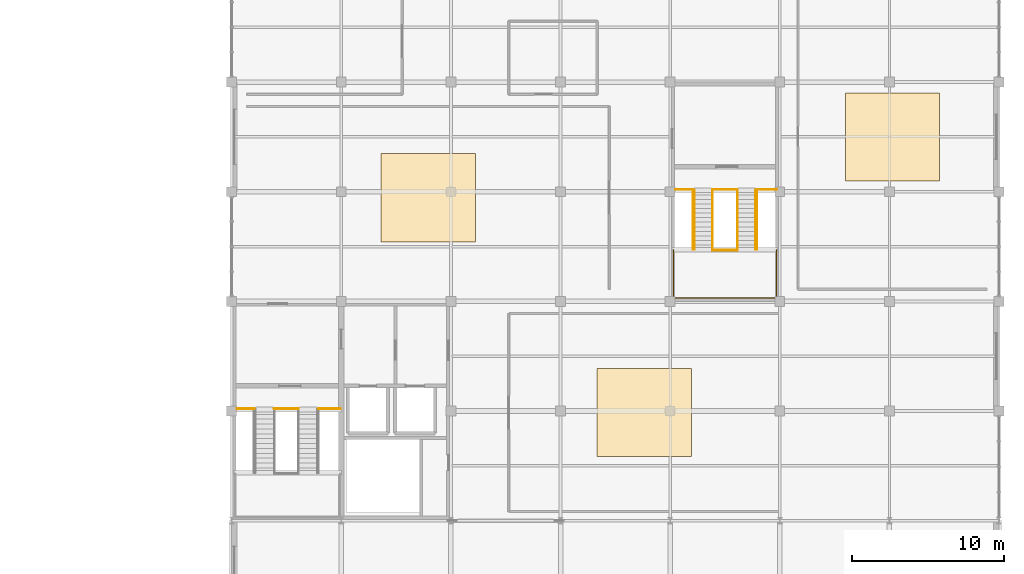
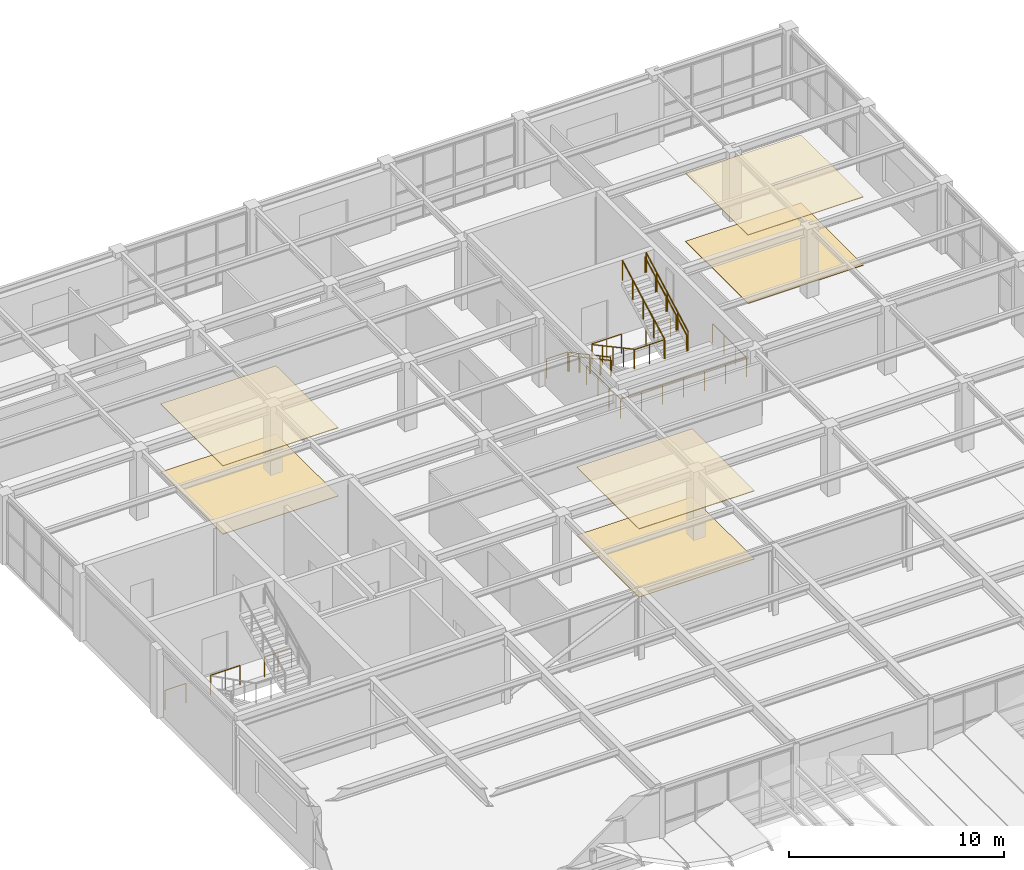
# One storey, part 83 of 83: 14 railings, 6 coverings.
"""IFC4 building model written with IfcOpenShell, lengths in metres."""

from ifc_helpers import new_model, si_unit, direction, frame, origin, origin_2d, place, context, subcontext, project, spatial, rectangle, circle, extrude, material, layer, layer_set, type_object, element, save


model = new_model("IFC4")

# Units and contexts
model_context = context("Model", 3, precision=1e-05, world=origin(), true_north=direction((0.0, 1.0)))
body_context = subcontext(model_context, "Body", "Model", "MODEL_VIEW")
ifc_project = project(units=[si_unit("LENGTHUNIT", "METRE"), si_unit("AREAUNIT", "SQUARE_METRE"), si_unit("VOLUMEUNIT", "CUBIC_METRE"), si_unit("PLANEANGLEUNIT", "RADIAN"), si_unit("MASSUNIT", "GRAM", prefix="KILO")], contexts=[model_context])

# Site, building, storey
site_placement = place(None, origin())
site = spatial("IfcSite", under=ifc_project, at=site_placement, CompositionType="ELEMENT")
building_placement = place(site_placement, origin())
building = spatial("IfcBuilding", under=site, at=building_placement, Name="Leyfeld Transit Interchange", CompositionType="ELEMENT")
storey_placement = place(building_placement, frame((0.0, 0.0, 5.39990234375)))
storey = spatial("IfcBuildingStorey", under=building, at=storey_placement, Name="L01", CompositionType="ELEMENT", Elevation=5.39990234375)

# Coverings
ifc_material_1 = material(Name="Austrian larch acoustic slat ceiling", Category="wood")
ifc_layer_1 = layer(ifc_material_1, 0.0400390625, Name="Austrian larch acoustic slat ceiling")
ifc_layer_set_1 = layer_set([ifc_layer_1], Name="Austrian larch acoustic slat ceiling")
covering_type_1 = type_object("IfcCoveringType", Name="COV-CLG-LRC", PredefinedType="CEILING", material=ifc_layer_set_1)
for number, where, z_axis, x_axis, name in (
    (1, (163.89990234375, 64.699951171875, 3.864990234375), (0.0, 0.0, 1.0), (1.0, 0.0, 0.0), "Acoustic Slat Ceiling Family Waiting & Nursing Suite"),
    (2, (149.699951171875, 78.800048828125, 3.864990234375), (0.0, 0.0, 1.0), (1.0, 0.0, 0.0), "Acoustic Slat Ceiling Commuter Co-Working & Study Lounge"),
    (3, (180.199951171875, 82.800048828125, 3.864990234375), (0.0, 0.0, 1.0), (1.0, 0.0, 0.0), "Acoustic Slat Ceiling East Coach Overlook Reading Lounge"),
):
    element("IfcCovering", number, at=place(storey_placement, frame(where, z_axis=z_axis, x_axis=x_axis)), inside=storey, type_object=covering_type_1, Name=name, PredefinedType="CEILING", context=body_context, shape_type="SweptSolid", body=[
        extrude(rectangle(XDim=6.199951171875, YDim=5.800048828125, at=origin_2d()), origin(), (0.0, 0.0, 1.0), 0.0400390625),
    ])
ifc_material_2 = material(Name="Polished Danube terrazzo flooring", Category="stone")
ifc_layer_2 = layer(ifc_material_2, 0.030029296875, Name="Polished Danube terrazzo flooring")
ifc_layer_set_2 = layer_set([ifc_layer_2], Name="Polished Danube terrazzo flooring")
covering_type_2 = type_object("IfcCoveringType", Name="COV-FLR-TRZ", PredefinedType="FLOORING", material=ifc_layer_set_2)
for number, where, z_axis, x_axis, name in (
    (4, (163.89990234375, 64.699951171875, 0.0), (0.0, 0.0, 1.0), (1.0, 0.0, 0.0), "Terrazzo Flooring Family Waiting & Nursing Suite"),
    (5, (149.699951171875, 78.800048828125, 0.0), (0.0, 0.0, 1.0), (1.0, 0.0, 0.0), "Terrazzo Flooring Commuter Co-Working & Study Lounge"),
    (6, (180.199951171875, 82.800048828125, 0.0), (0.0, 0.0, 1.0), (1.0, 0.0, 0.0), "Terrazzo Flooring East Coach Overlook Reading Lounge"),
):
    element("IfcCovering", number, at=place(storey_placement, frame(where, z_axis=z_axis, x_axis=x_axis)), inside=storey, type_object=covering_type_2, Name=name, PredefinedType="FLOORING", context=body_context, shape_type="SweptSolid", body=[
        extrude(rectangle(XDim=6.199951171875, YDim=5.800048828125, at=origin_2d()), origin(), (0.0, 0.0, 1.0), 0.030029296875),
    ])

# Railings
ifc_material_3 = material(Name="Stainless steel EN 1.4404", Category="steel")
railing_type_1 = type_object("IfcRailingType", Name="RL-STR-GRD-1100", PredefinedType="GUARDRAIL", material=ifc_material_3)
railing_1_placement = place(storey_placement, frame((137.159912109375, 64.949951171875, 0.0)))
element("IfcRailing", 7, at=railing_1_placement, inside=storey, type_object=railing_type_1, Name="Stair ST-04 Landing Guard FLW L01", PredefinedType="GUARDRAIL", context=body_context, shape_type="SweptSolid", body=[
    extrude(circle(Radius=0.02392578125, at=origin_2d()), frame((0.0, 0.0, 1.09619140625), z_axis=(1.0, 0.0, 0.0), x_axis=(0.0, 1.0, 0.0)), (0.0, 0.0, 1.0), 1.14013671875),
    extrude(circle(Radius=0.02099609375, at=origin_2d()), origin(), (0.0, 0.0, 1.0), 1.072021484375),
    extrude(circle(Radius=0.02099609375, at=origin_2d()), frame((1.14013671875, 0.0, 0.0)), (0.0, 0.0, 1.0), 1.072021484375),
])
railing_2_placement = place(storey_placement, frame((139.60009765625, 64.949951171875, 0.0)))
element("IfcRailing", 8, at=railing_2_placement, inside=storey, type_object=railing_type_1, Name="Stair ST-04 Landing Guard EYE L01", PredefinedType="GUARDRAIL", context=body_context, shape_type="SweptSolid", body=[
    extrude(circle(Radius=0.02392578125, at=origin_2d()), frame((0.0, 0.0, 1.09619140625), z_axis=(1.0, 0.0, 0.0), x_axis=(0.0, 1.0, 0.0)), (0.0, 0.0, 1.0), 1.599853515625),
    extrude(circle(Radius=0.02099609375, at=origin_2d()), origin(), (0.0, 0.0, 1.0), 1.072021484375),
    extrude(circle(Radius=0.02099609375, at=origin_2d()), frame((0.7998046875, 0.0, 0.0)), (0.0, 0.0, 1.0), 1.072021484375),
    extrude(circle(Radius=0.02099609375, at=origin_2d()), frame((1.599853515625, 0.0, 0.0)), (0.0, 0.0, 1.0), 1.072021484375),
])
railing_3_placement = place(storey_placement, frame((142.5, 64.949951171875, 0.0)))
element("IfcRailing", 9, at=railing_3_placement, inside=storey, type_object=railing_type_1, Name="Stair ST-04 Landing Guard FLE L01", PredefinedType="GUARDRAIL", context=body_context, shape_type="SweptSolid", body=[
    extrude(circle(Radius=0.02392578125, at=origin_2d()), frame((0.0, 0.0, 1.09619140625), z_axis=(1.0, 0.0, 0.0), x_axis=(0.0, 1.0, 0.0)), (0.0, 0.0, 1.0), 1.449951171875),
    extrude(circle(Radius=0.02099609375, at=origin_2d()), origin(), (0.0, 0.0, 1.0), 1.072021484375),
    extrude(circle(Radius=0.02099609375, at=origin_2d()), frame((0.72509765625, 0.0, 0.0)), (0.0, 0.0, 1.0), 1.072021484375),
    extrude(circle(Radius=0.02099609375, at=origin_2d()), frame((1.449951171875, 0.0, 0.0)), (0.0, 0.0, 1.0), 1.072021484375),
])
railing_4_placement = place(storey_placement, frame((165.9599609375, 79.35009765625, 0.0)))
element("IfcRailing", 10, at=railing_4_placement, inside=storey, type_object=railing_type_1, Name="Stair ST-05 Landing Guard FLW L01", PredefinedType="GUARDRAIL", context=body_context, shape_type="SweptSolid", body=[
    extrude(circle(Radius=0.02392578125, at=origin_2d()), frame((0.0, 0.0, 1.09619140625), z_axis=(1.0, 0.0, 0.0), x_axis=(0.0, 1.0, 0.0)), (0.0, 0.0, 1.0), 1.14013671875),
    extrude(circle(Radius=0.02099609375, at=origin_2d()), origin(), (0.0, 0.0, 1.0), 1.072021484375),
    extrude(circle(Radius=0.02099609375, at=origin_2d()), frame((1.14013671875, 0.0, 0.0)), (0.0, 0.0, 1.0), 1.072021484375),
])
railing_5_placement = place(storey_placement, frame((168.39990234375, 79.35009765625, 0.0)))
element("IfcRailing", 11, at=railing_5_placement, inside=storey, type_object=railing_type_1, Name="Stair ST-05 Landing Guard EYE L01", PredefinedType="GUARDRAIL", context=body_context, shape_type="SweptSolid", body=[
    extrude(circle(Radius=0.02392578125, at=origin_2d()), frame((0.0, 0.0, 1.09619140625), z_axis=(1.0, 0.0, 0.0), x_axis=(0.0, 1.0, 0.0)), (0.0, 0.0, 1.0), 1.60009765625),
    extrude(circle(Radius=0.02099609375, at=origin_2d()), origin(), (0.0, 0.0, 1.0), 1.072021484375),
    extrude(circle(Radius=0.02099609375, at=origin_2d()), frame((0.800048828125, 0.0, 0.0)), (0.0, 0.0, 1.0), 1.072021484375),
    extrude(circle(Radius=0.02099609375, at=origin_2d()), frame((1.60009765625, 0.0, 0.0)), (0.0, 0.0, 1.0), 1.072021484375),
])
railing_6_placement = place(storey_placement, frame((171.300048828125, 79.35009765625, 0.0)))
element("IfcRailing", 12, at=railing_6_placement, inside=storey, type_object=railing_type_1, Name="Stair ST-05 Landing Guard FLE L01", PredefinedType="GUARDRAIL", context=body_context, shape_type="SweptSolid", body=[
    extrude(circle(Radius=0.02392578125, at=origin_2d()), frame((0.0, 0.0, 1.09619140625), z_axis=(1.0, 0.0, 0.0), x_axis=(0.0, 1.0, 0.0)), (0.0, 0.0, 1.0), 1.31494140625),
    extrude(circle(Radius=0.02099609375, at=origin_2d()), origin(), (0.0, 0.0, 1.0), 1.072021484375),
    extrude(circle(Radius=0.02099609375, at=origin_2d()), frame((0.657470703125, 0.0, 0.0)), (0.0, 0.0, 1.0), 1.072021484375),
    extrude(circle(Radius=0.02099609375, at=origin_2d()), frame((1.31494140625, 0.0, 0.0)), (0.0, 0.0, 1.0), 1.072021484375),
])
railing_7_placement = place(storey_placement, frame((168.385009765625, 75.360107421875, 2.10009765625)))
element("IfcRailing", 13, at=railing_7_placement, inside=storey, type_object=railing_type_1, Name="Stair ST-05 L01 Half-Landing Inner Guard", PredefinedType="GUARDRAIL", context=body_context, shape_type="SweptSolid", body=[
    extrude(circle(Radius=0.02392578125, at=origin_2d()), frame((0.0, 0.0, 1.09619140625), z_axis=(1.0, 0.0, 0.0), x_axis=(0.0, 1.0, 0.0)), (0.0, 0.0, 1.0), 1.6298828125),
    extrude(circle(Radius=0.02099609375, at=origin_2d()), origin(), (0.0, 0.0, 1.0), 1.072021484375),
    extrude(circle(Radius=0.02099609375, at=origin_2d()), frame((0.81494140625, 0.0, 0.0)), (0.0, 0.0, 1.0), 1.072021484375),
    extrude(circle(Radius=0.02099609375, at=origin_2d()), frame((1.6298828125, 0.0, 0.0)), (0.0, 0.0, 1.0), 1.072021484375),
])
railing_8_placement = place(storey_placement, frame((165.81494140625, 75.360107421875, 2.10009765625)))
element("IfcRailing", 14, at=railing_8_placement, inside=storey, type_object=railing_type_1, Name="Stair ST-05 L01 Half-Landing Perimeter Guard", PredefinedType="GUARDRAIL", context=body_context, shape_type="SweptSolid", body=[
    extrude(circle(Radius=0.02392578125, at=origin_2d()), frame((0.0, 0.0, 1.09619140625), z_axis=(0.0, -1.0, 0.0), x_axis=(1.0, 0.0, 0.0)), (0.0, 0.0, 1.0), 3.14501953125),
    extrude(circle(Radius=0.02392578125, at=origin_2d()), frame((0.0, -3.14501953125, 1.09619140625), z_axis=(1.0, 0.0, 0.0), x_axis=(0.0, 1.0, 0.0)), (0.0, 0.0, 1.0), 6.77001953125),
    extrude(circle(Radius=0.02392578125, at=origin_2d()), frame((6.77001953125, -3.14501953125, 1.09619140625), z_axis=(0.0, 1.0, 0.0), x_axis=(-1.0, 0.0, 0.0)), (0.0, 0.0, 1.0), 3.14501953125),
    extrude(circle(Radius=0.02099609375, at=origin_2d()), origin(), (0.0, 0.0, 1.0), 1.072021484375),
    extrude(circle(Radius=0.02099609375, at=origin_2d()), frame((0.0, -1.04833984375, 0.0)), (0.0, 0.0, 1.0), 1.072021484375),
    extrude(circle(Radius=0.02099609375, at=origin_2d()), frame((0.0, -2.0966796875, 0.0)), (0.0, 0.0, 1.0), 1.072021484375),
    extrude(circle(Radius=0.02099609375, at=origin_2d()), frame((0.0, -3.14501953125, 0.0)), (0.0, 0.0, 1.0), 1.072021484375),
    extrude(circle(Radius=0.02099609375, at=origin_2d()), frame((1.12841796875, -3.14501953125, 0.0)), (0.0, 0.0, 1.0), 1.072021484375),
    extrude(circle(Radius=0.02099609375, at=origin_2d()), frame((2.256591796875, -3.14501953125, 0.0)), (0.0, 0.0, 1.0), 1.072021484375),
    extrude(circle(Radius=0.02099609375, at=origin_2d()), frame((3.385009765625, -3.14501953125, 0.0)), (0.0, 0.0, 1.0), 1.072021484375),
    extrude(circle(Radius=0.02099609375, at=origin_2d()), frame((4.513427734375, -3.14501953125, 0.0)), (0.0, 0.0, 1.0), 1.072021484375),
    extrude(circle(Radius=0.02099609375, at=origin_2d()), frame((5.6416015625, -3.14501953125, 0.0)), (0.0, 0.0, 1.0), 1.072021484375),
    extrude(circle(Radius=0.02099609375, at=origin_2d()), frame((6.77001953125, -3.14501953125, 0.0)), (0.0, 0.0, 1.0), 1.072021484375),
    extrude(circle(Radius=0.02099609375, at=origin_2d()), frame((6.77001953125, -2.0966796875, 0.0)), (0.0, 0.0, 1.0), 1.072021484375),
    extrude(circle(Radius=0.02099609375, at=origin_2d()), frame((6.77001953125, -1.04833984375, 0.0)), (0.0, 0.0, 1.0), 1.072021484375),
    extrude(circle(Radius=0.02099609375, at=origin_2d()), frame((6.77001953125, 0.0, 0.0)), (0.0, 0.0, 1.0), 1.072021484375),
])
for number, where, name in (
    (15, (168.385009765625, 79.300048828125, 0.0), "Stair ST-05 L01 F1 Inner Guard"),
    (16, (167.114990234375, 79.300048828125, 0.0), "Stair ST-05 L01 F1 Outer Guard"),
):
    element("IfcRailing", number, at=place(storey_placement, frame(where)), inside=storey, type_object=railing_type_1, Name=name, PredefinedType="GUARDRAIL", context=body_context, shape_type="SweptSolid", body=[
        extrude(circle(Radius=0.02392578125, at=origin_2d()), frame((0.0, 0.0, 1.09619140625), z_axis=(0.0, -0.880469330154, 0.474103109733), x_axis=(1.0, 0.0, 0.0)), (0.0, 0.0, 1.0), 4.4296875),
        extrude(circle(Radius=0.02099609375, at=origin_2d()), origin(), (0.0, 0.0, 1.0), 1.072021484375),
        extrude(circle(Radius=0.02099609375, at=origin_2d()), frame((0.0, -0.97509765625, 0.52490234375)), (0.0, 0.0, 1.0), 1.072021484375),
        extrude(circle(Radius=0.02099609375, at=origin_2d()), frame((0.0, -1.9501953125, 1.050048828125)), (0.0, 0.0, 1.0), 1.072021484375),
        extrude(circle(Radius=0.02099609375, at=origin_2d()), frame((0.0, -2.925048828125, 1.5751953125)), (0.0, 0.0, 1.0), 1.072021484375),
        extrude(circle(Radius=0.02099609375, at=origin_2d()), frame((0.0, -3.900146484375, 2.10009765625)), (0.0, 0.0, 1.0), 1.072021484375),
    ])
for number, where, name in (
    (17, (170.014892578125, 75.39990234375, 2.10009765625), "Stair ST-05 L01 F2 Inner Guard"),
    (18, (171.284912109375, 75.39990234375, 2.10009765625), "Stair ST-05 L01 F2 Outer Guard"),
):
    element("IfcRailing", number, at=place(storey_placement, frame(where)), inside=storey, type_object=railing_type_1, Name=name, PredefinedType="GUARDRAIL", context=body_context, shape_type="SweptSolid", body=[
        extrude(circle(Radius=0.02392578125, at=origin_2d()), frame((0.0, 0.0, 1.09619140625), z_axis=(0.0, 0.880469330154, 0.474103109733), x_axis=(-1.0, 0.0, 0.0)), (0.0, 0.0, 1.0), 4.4296875),
        extrude(circle(Radius=0.02099609375, at=origin_2d()), origin(), (0.0, 0.0, 1.0), 1.072021484375),
        extrude(circle(Radius=0.02099609375, at=origin_2d()), frame((0.0, 0.97509765625, 0.52490234375)), (0.0, 0.0, 1.0), 1.072021484375),
        extrude(circle(Radius=0.02099609375, at=origin_2d()), frame((0.0, 1.9501953125, 1.050048828125)), (0.0, 0.0, 1.0), 1.072021484375),
        extrude(circle(Radius=0.02099609375, at=origin_2d()), frame((0.0, 2.925048828125, 1.5751953125)), (0.0, 0.0, 1.0), 1.072021484375),
        extrude(circle(Radius=0.02099609375, at=origin_2d()), frame((0.0, 3.900146484375, 2.10009765625)), (0.0, 0.0, 1.0), 1.072021484375),
    ])
railing_type_2 = type_object("IfcRailingType", Name="RL-STR-HND-900", PredefinedType="HANDRAIL", material=ifc_material_3)
railing_9_placement = place(storey_placement, frame((167.175048828125, 79.300048828125, 0.0)))
element("IfcRailing", 19, at=railing_9_placement, inside=storey, type_object=railing_type_2, Name="Stair ST-05 L01 F1 Handrail", PredefinedType="HANDRAIL", context=body_context, shape_type="SweptSolid", body=[
    extrude(circle(Radius=0.02392578125, at=origin_2d()), frame((0.0, 0.0, 0.8759765625), z_axis=(0.0, -0.880469330154, 0.474103109733), x_axis=(1.0, 0.0, 0.0)), (0.0, 0.0, 1.0), 4.4296875),
    extrude(circle(Radius=0.02099609375, at=origin_2d()), origin(), (0.0, 0.0, 1.0), 0.851806640625),
    extrude(circle(Radius=0.02099609375, at=origin_2d()), frame((0.0, -0.97509765625, 0.52490234375)), (0.0, 0.0, 1.0), 0.851806640625),
    extrude(circle(Radius=0.02099609375, at=origin_2d()), frame((0.0, -1.9501953125, 1.050048828125)), (0.0, 0.0, 1.0), 0.851806640625),
    extrude(circle(Radius=0.02099609375, at=origin_2d()), frame((0.0, -2.925048828125, 1.5751953125)), (0.0, 0.0, 1.0), 0.851806640625),
    extrude(circle(Radius=0.02099609375, at=origin_2d()), frame((0.0, -3.900146484375, 2.10009765625)), (0.0, 0.0, 1.0), 0.851806640625),
])
railing_10_placement = place(storey_placement, frame((171.22509765625, 75.39990234375, 2.10009765625)))
element("IfcRailing", 20, at=railing_10_placement, inside=storey, type_object=railing_type_2, Name="Stair ST-05 L01 F2 Handrail", PredefinedType="HANDRAIL", context=body_context, shape_type="SweptSolid", body=[
    extrude(circle(Radius=0.02392578125, at=origin_2d()), frame((0.0, 0.0, 0.8759765625), z_axis=(0.0, 0.880469330154, 0.474103109733), x_axis=(-1.0, 0.0, 0.0)), (0.0, 0.0, 1.0), 4.4296875),
    extrude(circle(Radius=0.02099609375, at=origin_2d()), origin(), (0.0, 0.0, 1.0), 0.851806640625),
    extrude(circle(Radius=0.02099609375, at=origin_2d()), frame((0.0, 0.97509765625, 0.52490234375)), (0.0, 0.0, 1.0), 0.851806640625),
    extrude(circle(Radius=0.02099609375, at=origin_2d()), frame((0.0, 1.9501953125, 1.050048828125)), (0.0, 0.0, 1.0), 0.851806640625),
    extrude(circle(Radius=0.02099609375, at=origin_2d()), frame((0.0, 2.925048828125, 1.5751953125)), (0.0, 0.0, 1.0), 0.851806640625),
    extrude(circle(Radius=0.02099609375, at=origin_2d()), frame((0.0, 3.900146484375, 2.10009765625)), (0.0, 0.0, 1.0), 0.851806640625),
])

save(model, "model.ifc")
